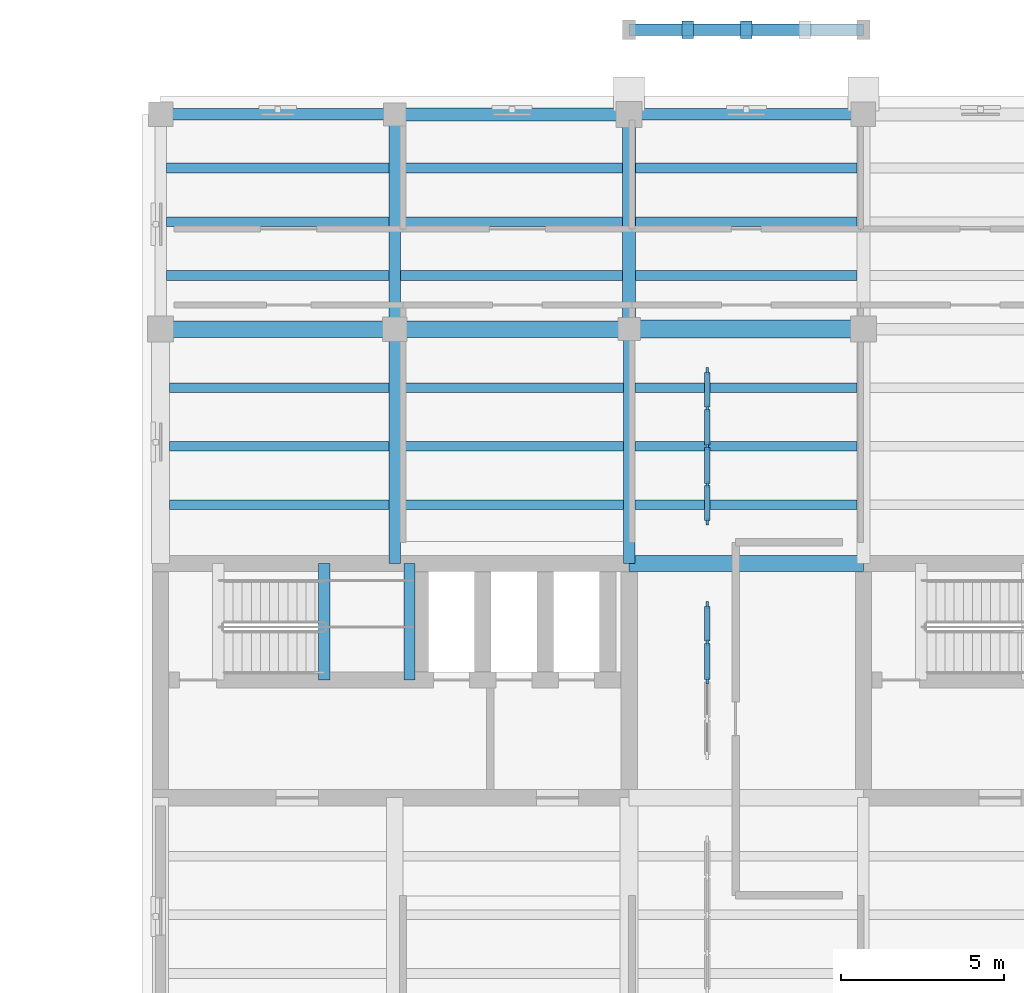
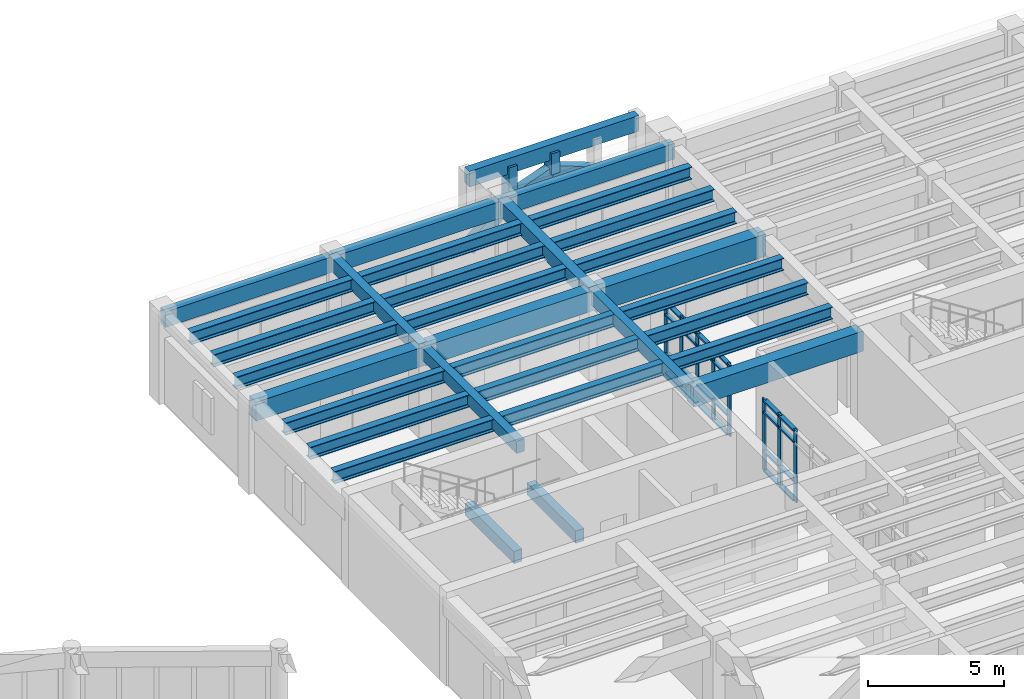
# One storey, part 24 of 76: 37 members, 32 beams, 2 elements without a shape of their own.
"""IFC4 building model written with IfcOpenShell, lengths in metres."""

from ifc_helpers import new_model, si_unit, direction, frame, origin, origin_2d, place, context, subcontext, project, spatial, rectangle, i_section, extrude, material, material_profile, profile_set, type_object, element, aggregate, save


model = new_model("IFC4")

# Units and contexts
model_context = context("Model", 3, precision=1e-05, world=origin(), true_north=direction((0.0, 1.0)))
body_context = subcontext(model_context, "Body", "Model", "MODEL_VIEW")
ifc_project = project(units=[si_unit("LENGTHUNIT", "METRE"), si_unit("AREAUNIT", "SQUARE_METRE"), si_unit("VOLUMEUNIT", "CUBIC_METRE"), si_unit("PLANEANGLEUNIT", "RADIAN"), si_unit("MASSUNIT", "GRAM", prefix="KILO")], contexts=[model_context])

# Site, building, storey
site_placement = place(None, origin())
site = spatial("IfcSite", under=ifc_project, at=site_placement, CompositionType="ELEMENT")
building_placement = place(site_placement, origin())
building = spatial("IfcBuilding", under=site, at=building_placement, Name="Mithqara Police Headquarters", CompositionType="ELEMENT")
storey_placement = place(building_placement, frame((0.0, 0.0, 5.39990234375)))
storey = spatial("IfcBuildingStorey", under=building, at=storey_placement, Name="L01", CompositionType="ELEMENT", Elevation=5.39990234375)

# Members
ifc_material_1 = material(Name="Concrete C50/60", Category="concrete")
ifc_material_profile_1 = material_profile(ifc_material_1, rectangle(XDim=0.35009765625, YDim=0.550048828125, at=origin_2d()), Name="ARC 350x550")
ifc_profile_set_1 = profile_set([ifc_material_profile_1], Name="Concrete C50/60")
member_type_1 = type_object("IfcMemberType", Name="ARCH SEG 350X550", PredefinedType="STRUT", material=ifc_profile_set_1)
member_1_placement = place(storey_placement, frame((123.0, 116.60009765625, 0.050048828125), z_axis=(0.749262238602, 0.0, 0.662273431299), x_axis=(0.0, 1.0, 0.0)))
element("IfcMember", 1, at=member_1_placement, inside=storey, type_object=member_type_1, Name="Public Entrance Portal Ottoman Arch Chord 1", PredefinedType="STRUT", context=body_context, shape_type="SweptSolid", body=[
    extrude(rectangle(XDim=0.35009765625, YDim=0.550048828125, at=origin_2d()), origin(), (0.0, 0.0, 1.0), 2.40234375),
])
for number, where, z_axis, x_axis, name in (
    (2, (124.800048828125, 116.60009765625, 1.64111328125), (0.939058685725, 0.0, 0.343756868679), (0.0, 1.0, 0.0), "Public Entrance Portal Ottoman Arch Chord 2"),
    (3, (126.60009765625, 116.60009765625, 2.300048828125), (0.939043632513, 0.0, -0.343797987541), (0.0, 1.0, 0.0), "Public Entrance Portal Ottoman Arch Chord 3"),
):
    element("IfcMember", number, at=place(storey_placement, frame(where, z_axis=z_axis, x_axis=x_axis)), inside=storey, type_object=member_type_1, Name=name, PredefinedType="STRUT", context=body_context, shape_type="SweptSolid", body=[
        extrude(rectangle(XDim=0.35009765625, YDim=0.550048828125, at=origin_2d()), origin(), (0.0, 0.0, 1.0), 1.916748046875),
    ])
member_2_placement = place(storey_placement, frame((124.800048828125, 116.60009765625, 1.64111328125), z_axis=(0.0, 0.0, 1.0), x_axis=(1.0, 0.0, 0.0)))
element("IfcMember", 4, at=member_2_placement, inside=storey, type_object=member_type_1, Name="Public Entrance Portal Arch Spandrel Post 1", PredefinedType="STRUT", context=body_context, shape_type="SweptSolid", body=[
    extrude(rectangle(XDim=0.35009765625, YDim=0.550048828125, at=origin_2d()), origin(), (0.0, 0.0, 1.0), 1.60888671875),
])
member_3_placement = place(storey_placement, frame((126.60009765625, 116.60009765625, 2.300048828125), z_axis=(0.0, 0.0, 1.0), x_axis=(1.0, 0.0, 0.0)))
element("IfcMember", 5, at=member_3_placement, inside=storey, type_object=member_type_1, Name="Public Entrance Portal Arch Spandrel Post 2", PredefinedType="STRUT", context=body_context, shape_type="SweptSolid", body=[
    extrude(rectangle(XDim=0.35009765625, YDim=0.550048828125, at=origin_2d()), origin(), (0.0, 0.0, 1.0), 0.949951171875),
])

# Beams
ifc_material_2 = material(Name="Steel S355JR", Category="steel")
ifc_material_profile_2 = material_profile(ifc_material_2, i_section(OverallWidth=0.300048828125, OverallDepth=0.550048828125, WebThickness=0.014892578125, FlangeThickness=0.029052734375, FilletRadius=0.027099609375, at=origin_2d()), Name="HEB 550")
ifc_profile_set_2 = profile_set([ifc_material_profile_2], Name="Steel S355JR")
beam_type_1 = type_object("IfcBeamType", Name="BEAM HEB550", PredefinedType="BEAM", material=ifc_profile_set_2)
for number, where, z_axis, x_axis, name in (
    (6, (108.875, 102.0, 3.64501953125), (1.0, 0.0, 0.0), (0.0, 1.0, 0.0), "L01 Composite Steel Joist 16-17/Q.1"),
    (7, (108.875, 103.800048828125, 3.64501953125), (1.0, 0.0, 0.0), (0.0, 1.0, 0.0), "L01 Composite Steel Joist 16-17/Q.2"),
    (8, (108.875, 105.60009765625, 3.64501953125), (1.0, 0.0, 0.0), (0.0, 1.0, 0.0), "L01 Composite Steel Joist 16-17/Q.3"),
):
    element("IfcBeam", number, at=place(storey_placement, frame(where, z_axis=z_axis, x_axis=x_axis)), inside=storey, type_object=beam_type_1, Name=name, PredefinedType="BEAM", context=body_context, shape_type="SweptSolid", body=[
        extrude(i_section(OverallWidth=0.300048828125, OverallDepth=0.550048828125, WebThickness=0.014892578125, FlangeThickness=0.029052734375, FilletRadius=0.027099609375, at=origin_2d()), origin(), (0.0, 0.0, 1.0), 6.75),
    ])
for number, where, z_axis, x_axis, name in (
    (9, (108.77490234375, 109.050048828125, 3.64501953125), (1.0, 0.0, 0.0), (0.0, 1.0, 0.0), "L01 Composite Steel Joist 16-17/R.1"),
    (10, (108.77490234375, 110.699951171875, 3.64501953125), (1.0, 0.0, 0.0), (0.0, 1.0, 0.0), "L01 Composite Steel Joist 16-17/R.2"),
    (11, (108.77490234375, 112.35009765625, 3.64501953125), (1.0, 0.0, 0.0), (0.0, 1.0, 0.0), "L01 Composite Steel Joist 16-17/R.3"),
):
    element("IfcBeam", number, at=place(storey_placement, frame(where, z_axis=z_axis, x_axis=x_axis)), inside=storey, type_object=beam_type_1, Name=name, PredefinedType="BEAM", context=body_context, shape_type="SweptSolid", body=[
        extrude(i_section(OverallWidth=0.300048828125, OverallDepth=0.550048828125, WebThickness=0.014892578125, FlangeThickness=0.029052734375, FilletRadius=0.027099609375, at=origin_2d()), origin(), (0.0, 0.0, 1.0), 6.85009765625),
    ])
for number, where, z_axis, x_axis, name in (
    (12, (115.97509765625, 102.0, 3.64501953125), (1.0, 0.0, 0.0), (0.0, 1.0, 0.0), "L01 Composite Steel Joist 17-18/Q.1"),
    (13, (115.97509765625, 103.800048828125, 3.64501953125), (1.0, 0.0, 0.0), (0.0, 1.0, 0.0), "L01 Composite Steel Joist 17-18/Q.2"),
    (14, (115.97509765625, 105.60009765625, 3.64501953125), (1.0, 0.0, 0.0), (0.0, 1.0, 0.0), "L01 Composite Steel Joist 17-18/Q.3"),
):
    element("IfcBeam", number, at=place(storey_placement, frame(where, z_axis=z_axis, x_axis=x_axis)), inside=storey, type_object=beam_type_1, Name=name, PredefinedType="BEAM", context=body_context, shape_type="SweptSolid", body=[
        extrude(i_section(OverallWidth=0.300048828125, OverallDepth=0.550048828125, WebThickness=0.014892578125, FlangeThickness=0.029052734375, FilletRadius=0.027099609375, at=origin_2d()), origin(), (0.0, 0.0, 1.0), 6.849853515625),
    ])
for number, where, z_axis, x_axis, name in (
    (15, (115.97509765625, 109.050048828125, 3.64501953125), (1.0, 0.0, 0.0), (0.0, 1.0, 0.0), "L01 Composite Steel Joist 17-18/R.1"),
    (16, (115.97509765625, 110.699951171875, 3.64501953125), (1.0, 0.0, 0.0), (0.0, 1.0, 0.0), "L01 Composite Steel Joist 17-18/R.2"),
    (17, (115.97509765625, 112.35009765625, 3.64501953125), (1.0, 0.0, 0.0), (0.0, 1.0, 0.0), "L01 Composite Steel Joist 17-18/R.3"),
    (18, (123.175048828125, 102.0, 3.64501953125), (1.0, 0.0, 0.0), (0.0, 1.0, 0.0), "L01 Composite Steel Joist 18-19/Q.1"),
    (19, (123.175048828125, 103.800048828125, 3.64501953125), (1.0, 0.0, 0.0), (0.0, 1.0, 0.0), "L01 Composite Steel Joist 18-19/Q.2"),
    (20, (123.175048828125, 105.60009765625, 3.64501953125), (1.0, 0.0, 0.0), (0.0, 1.0, 0.0), "L01 Composite Steel Joist 18-19/Q.3"),
):
    element("IfcBeam", number, at=place(storey_placement, frame(where, z_axis=z_axis, x_axis=x_axis)), inside=storey, type_object=beam_type_1, Name=name, PredefinedType="BEAM", context=body_context, shape_type="SweptSolid", body=[
        extrude(i_section(OverallWidth=0.300048828125, OverallDepth=0.550048828125, WebThickness=0.014892578125, FlangeThickness=0.029052734375, FilletRadius=0.027099609375, at=origin_2d()), origin(), (0.0, 0.0, 1.0), 6.824951171875),
    ])
for number, where, z_axis, x_axis, name in (
    (21, (123.199951171875, 109.050048828125, 3.64501953125), (1.0, 0.0, 0.0), (0.0, 1.0, 0.0), "L01 Composite Steel Joist 18-19/R.1"),
    (22, (123.199951171875, 110.699951171875, 3.64501953125), (1.0, 0.0, 0.0), (0.0, 1.0, 0.0), "L01 Composite Steel Joist 18-19/R.2"),
    (23, (123.199951171875, 112.35009765625, 3.64501953125), (1.0, 0.0, 0.0), (0.0, 1.0, 0.0), "L01 Composite Steel Joist 18-19/R.3"),
):
    element("IfcBeam", number, at=place(storey_placement, frame(where, z_axis=z_axis, x_axis=x_axis)), inside=storey, type_object=beam_type_1, Name=name, PredefinedType="BEAM", context=body_context, shape_type="SweptSolid", body=[
        extrude(i_section(OverallWidth=0.300048828125, OverallDepth=0.550048828125, WebThickness=0.014892578125, FlangeThickness=0.029052734375, FilletRadius=0.027099609375, at=origin_2d()), origin(), (0.0, 0.0, 1.0), 6.800048828125),
    ])
ifc_material_3 = material(Name="Concrete C40/50", Category="concrete")
ifc_material_profile_3 = material_profile(ifc_material_3, rectangle(XDim=0.35009765625, YDim=0.550048828125, at=origin_2d()), Name="RC 350x550")
ifc_profile_set_3 = profile_set([ifc_material_profile_3], Name="Concrete C40/50")
beam_type_2 = type_object("IfcBeamType", Name="BEAM RC350X550", PredefinedType="BEAM", material=ifc_profile_set_3)
beam_1_placement = place(storey_placement, frame((115.800048828125, 100.199951171875, 3.64501953125), z_axis=(0.0, 1.0, 0.0), x_axis=(-1.0, 0.0, 0.0)))
element("IfcBeam", 24, at=beam_1_placement, inside=storey, type_object=beam_type_2, Name="L01 Girder 17/Q-R", PredefinedType="BEAM", context=body_context, shape_type="SweptSolid", body=[
    extrude(rectangle(XDim=0.35009765625, YDim=0.550048828125, at=origin_2d()), origin(), (0.0, 0.0, 1.0), 7.199951171875),
])
for number, where, z_axis, x_axis, name in (
    (25, (113.6298828125, 96.6201171875, 1.635009765625), (0.0, 1.0, 0.0), (-1.0, 0.0, 0.0), "L01 ST-01 Half-Landing Bearer LF"),
    (26, (116.25, 96.6201171875, 1.635009765625), (0.0, 1.0, 0.0), (-1.0, 0.0, 0.0), "L01 ST-01 Half-Landing Bearer LB"),
):
    element("IfcBeam", number, at=place(storey_placement, frame(where, z_axis=z_axis, x_axis=x_axis)), inside=storey, type_object=beam_type_2, Name=name, PredefinedType="BEAM", context=body_context, shape_type="SweptSolid", body=[
        extrude(rectangle(XDim=0.35009765625, YDim=0.550048828125, at=origin_2d()), origin(), (0.0, 0.0, 1.0), 3.579833984375),
    ])
ifc_material_profile_4 = material_profile(ifc_material_3, rectangle(XDim=0.35009765625, YDim=0.60009765625, at=origin_2d()), Name="RC 350x600")
ifc_profile_set_4 = profile_set([ifc_material_profile_4], Name="Concrete C40/50")
beam_type_3 = type_object("IfcBeamType", Name="BEAM RC350X600", PredefinedType="BEAM", material=ifc_profile_set_4)
beam_2_placement = place(storey_placement, frame((115.800048828125, 107.39990234375, 3.6201171875), z_axis=(0.0, 1.0, 0.0), x_axis=(-1.0, 0.0, 0.0)))
element("IfcBeam", 27, at=beam_2_placement, inside=storey, type_object=beam_type_3, Name="L01 Girder 17/R-S", PredefinedType="BEAM", context=body_context, shape_type="SweptSolid", body=[
    extrude(rectangle(XDim=0.35009765625, YDim=0.60009765625, at=origin_2d()), origin(), (0.0, 0.0, 1.0), 6.60009765625),
])
beam_3_placement = place(storey_placement, frame((123.0, 100.199951171875, 3.6201171875), z_axis=(0.0, 1.0, 0.0), x_axis=(-1.0, 0.0, 0.0)))
element("IfcBeam", 28, at=beam_3_placement, inside=storey, type_object=beam_type_3, Name="L01 Girder 18/Q-R", PredefinedType="BEAM", context=body_context, shape_type="SweptSolid", body=[
    extrude(rectangle(XDim=0.35009765625, YDim=0.60009765625, at=origin_2d()), origin(), (0.0, 0.0, 1.0), 7.199951171875),
])
ifc_material_profile_5 = material_profile(ifc_material_3, rectangle(XDim=0.39990234375, YDim=0.64990234375, at=origin_2d()), Name="RC 400x650")
ifc_profile_set_5 = profile_set([ifc_material_profile_5], Name="Concrete C40/50")
beam_type_4 = type_object("IfcBeamType", Name="BEAM RC400X650", PredefinedType="BEAM", material=ifc_profile_set_5)
beam_4_placement = place(storey_placement, frame((123.0, 107.39990234375, 3.59521484375), z_axis=(0.0, 1.0, 0.0), x_axis=(-1.0, 0.0, 0.0)))
element("IfcBeam", 29, at=beam_4_placement, inside=storey, type_object=beam_type_4, Name="L01 Girder 18/R-S", PredefinedType="BEAM", context=body_context, shape_type="SweptSolid", body=[
    extrude(rectangle(XDim=0.39990234375, YDim=0.64990234375, at=origin_2d()), origin(), (0.0, 0.0, 1.0), 6.60009765625),
])
ifc_material_profile_6 = material_profile(ifc_material_3, rectangle(XDim=0.5, YDim=0.85009765625, at=origin_2d()), Name="RC 500x850")
ifc_profile_set_6 = profile_set([ifc_material_profile_6], Name="Concrete C40/50")
beam_type_5 = type_object("IfcBeamType", Name="BEAM RC500X850", PredefinedType="BEAM", material=ifc_profile_set_6)
beam_5_placement = place(storey_placement, frame((108.60009765625, 107.39990234375, 3.4951171875), z_axis=(1.0, 0.0, 0.0), x_axis=(0.0, 1.0, 0.0)))
element("IfcBeam", 30, at=beam_5_placement, inside=storey, type_object=beam_type_5, Name="L01 Girder 16-17/R", PredefinedType="BEAM", context=body_context, shape_type="SweptSolid", body=[
    extrude(rectangle(XDim=0.5, YDim=0.85009765625, at=origin_2d()), origin(), (0.0, 0.0, 1.0), 7.199951171875),
])
ifc_material_profile_7 = material_profile(ifc_material_1, rectangle(XDim=0.5, YDim=0.89990234375, at=origin_2d()), Name="RC 500x900")
ifc_profile_set_7 = profile_set([ifc_material_profile_7], Name="Concrete C50/60")
beam_type_6 = type_object("IfcBeamType", Name="BEAM RC500X900", PredefinedType="BEAM", material=ifc_profile_set_7)
for number, where, z_axis, x_axis, name in (
    (31, (115.800048828125, 107.39990234375, 3.47021484375), (1.0, 0.0, 0.0), (0.0, 1.0, 0.0), "L01 Girder 17-18/R"),
    (32, (123.0, 100.199951171875, 3.47021484375), (1.0, 0.0, 0.0), (0.0, 1.0, 0.0), "L01 Girder 18-19/Q"),
):
    element("IfcBeam", number, at=place(storey_placement, frame(where, z_axis=z_axis, x_axis=x_axis)), inside=storey, type_object=beam_type_6, Name=name, PredefinedType="BEAM", context=body_context, shape_type="SweptSolid", body=[
        extrude(rectangle(XDim=0.5, YDim=0.89990234375, at=origin_2d()), origin(), (0.0, 0.0, 1.0), 7.199951171875),
    ])
ifc_material_profile_8 = material_profile(ifc_material_1, rectangle(XDim=0.550048828125, YDim=1.0, at=origin_2d()), Name="RC 550x1000")
ifc_profile_set_8 = profile_set([ifc_material_profile_8], Name="Concrete C50/60")
beam_type_7 = type_object("IfcBeamType", Name="BEAM RC550X1000", PredefinedType="BEAM", material=ifc_profile_set_8)
beam_6_placement = place(storey_placement, frame((123.0, 107.39990234375, 3.420166015625), z_axis=(1.0, 0.0, 0.0), x_axis=(0.0, 1.0, 0.0)))
element("IfcBeam", 33, at=beam_6_placement, inside=storey, type_object=beam_type_7, Name="L01 Girder 18-19/R", PredefinedType="BEAM", context=body_context, shape_type="SweptSolid", body=[
    extrude(rectangle(XDim=0.550048828125, YDim=1.0, at=origin_2d()), origin(), (0.0, 0.0, 1.0), 7.199951171875),
])

# Curtain wall, members
ifc_material_4 = material(Name="Bronze anodised aluminium 6063-T6", Category="aluminium")
curtain_wall_type = type_object("IfcCurtainWallType", Name="CURTAIN WALL 4700X3200", PredefinedType="USERDEFINED", material=ifc_material_4)
curtain_wall_1_placement = place(storey_placement, origin())
curtain_wall_1 = element("IfcCurtainWall", 34, at=curtain_wall_1_placement, inside=storey, type_object=curtain_wall_type, Name="L01 Unitised Glazing CW-15 (CW-INT-L01-X17-Y13-0)", ObjectType="UNITISED GLAZING", PredefinedType="USERDEFINED")
ifc_material_profile_9 = material_profile(ifc_material_4, rectangle(XDim=0.074951171875, YDim=0.219970703125, at=origin_2d()), Name="CWM 75x220")
ifc_profile_set_9 = profile_set([ifc_material_profile_9], Name="Bronze anodised aluminium 6063-T6")
member_type_2 = type_object("IfcMemberType", Name="CWMULLION 75X220", PredefinedType="MULLION", material=ifc_profile_set_9)
member_4_placement = place(storey_placement, frame((125.39990234375, 96.60009765625, 0.0), z_axis=(0.0, 0.0, 1.0), x_axis=(-1.0, 0.0, 0.0)))
member_4 = element("IfcMember", 35, at=member_4_placement, type_object=member_type_2, Name="CW-15 mullion 3", PredefinedType="MULLION", context=body_context, shape_type="SweptSolid", body=[
    extrude(rectangle(XDim=0.074951171875, YDim=0.219970703125, at=origin_2d()), origin(), (0.0, 0.0, 1.0), 3.2001953125),
])
member_5_placement = place(storey_placement, frame((125.39990234375, 97.77490234375, 0.0), z_axis=(0.0, 0.0, 1.0), x_axis=(-1.0, 0.0, 0.0)))
member_5 = element("IfcMember", 36, at=member_5_placement, type_object=member_type_2, Name="CW-15 mullion 4", PredefinedType="MULLION", context=body_context, shape_type="SweptSolid", body=[
    extrude(rectangle(XDim=0.074951171875, YDim=0.219970703125, at=origin_2d()), origin(), (0.0, 0.0, 1.0), 3.2001953125),
])
member_6_placement = place(storey_placement, frame((125.39990234375, 98.91259765625, 0.0), z_axis=(0.0, 0.0, 1.0), x_axis=(-1.0, 0.0, 0.0)))
member_6 = element("IfcMember", 37, at=member_6_placement, type_object=member_type_2, Name="CW-15 mullion 5", PredefinedType="MULLION", context=body_context, shape_type="SweptSolid", body=[
    extrude(rectangle(XDim=0.074951171875, YDim=0.219970703125, at=origin_2d()), origin(), (0.0, 0.0, 1.0), 3.2001953125),
])

curtain_wall_2_placement = place(storey_placement, origin())
curtain_wall_2 = element("IfcCurtainWall", 38, at=curtain_wall_2_placement, inside=storey, type_object=curtain_wall_type, Name="L01 Unitised Glazing CW-15 (CW-INT-L01-X17-Y14-0)", ObjectType="UNITISED GLAZING", PredefinedType="USERDEFINED")
member_7_placement = place(storey_placement, frame((125.39990234375, 101.487548828125, 0.0), z_axis=(0.0, 0.0, 1.0), x_axis=(-1.0, 0.0, 0.0)))
member_7 = element("IfcMember", 39, at=member_7_placement, type_object=member_type_2, Name="CW-15 mullion 1", PredefinedType="MULLION", context=body_context, shape_type="SweptSolid", body=[
    extrude(rectangle(XDim=0.074951171875, YDim=0.219970703125, at=origin_2d()), origin(), (0.0, 0.0, 1.0), 3.2001953125),
])
member_8_placement = place(storey_placement, frame((125.39990234375, 102.625, 0.0), z_axis=(0.0, 0.0, 1.0), x_axis=(-1.0, 0.0, 0.0)))
member_8 = element("IfcMember", 40, at=member_8_placement, type_object=member_type_2, Name="CW-15 mullion 2", PredefinedType="MULLION", context=body_context, shape_type="SweptSolid", body=[
    extrude(rectangle(XDim=0.074951171875, YDim=0.219970703125, at=origin_2d()), origin(), (0.0, 0.0, 1.0), 3.2001953125),
])
member_9_placement = place(storey_placement, frame((125.39990234375, 103.800048828125, 0.0), z_axis=(0.0, 0.0, 1.0), x_axis=(-1.0, 0.0, 0.0)))
member_9 = element("IfcMember", 41, at=member_9_placement, type_object=member_type_2, Name="CW-15 mullion 3", PredefinedType="MULLION", context=body_context, shape_type="SweptSolid", body=[
    extrude(rectangle(XDim=0.074951171875, YDim=0.219970703125, at=origin_2d()), origin(), (0.0, 0.0, 1.0), 3.2001953125),
])
member_10_placement = place(storey_placement, frame((125.39990234375, 104.97509765625, 0.0), z_axis=(0.0, 0.0, 1.0), x_axis=(-1.0, 0.0, 0.0)))
member_10 = element("IfcMember", 42, at=member_10_placement, type_object=member_type_2, Name="CW-15 mullion 4", PredefinedType="MULLION", context=body_context, shape_type="SweptSolid", body=[
    extrude(rectangle(XDim=0.074951171875, YDim=0.219970703125, at=origin_2d()), origin(), (0.0, 0.0, 1.0), 3.2001953125),
])
member_11_placement = place(storey_placement, frame((125.39990234375, 106.112548828125, 0.0), z_axis=(0.0, 0.0, 1.0), x_axis=(-1.0, 0.0, 0.0)))
member_11 = element("IfcMember", 43, at=member_11_placement, type_object=member_type_2, Name="CW-15 mullion 5", PredefinedType="MULLION", context=body_context, shape_type="SweptSolid", body=[
    extrude(rectangle(XDim=0.074951171875, YDim=0.219970703125, at=origin_2d()), origin(), (0.0, 0.0, 1.0), 3.2001953125),
])

# Member
ifc_material_profile_10 = material_profile(ifc_material_4, rectangle(XDim=0.179931640625, YDim=0.074951171875, at=origin_2d()), Name="CWT 180x75")
ifc_profile_set_10 = profile_set([ifc_material_profile_10], Name="Bronze anodised aluminium 6063-T6")
member_type_3 = type_object("IfcMemberType", Name="CWTRANSOM 180X75", PredefinedType="USERDEFINED", material=ifc_profile_set_10)
member_12_placement = place(storey_placement, frame((125.39990234375, 96.637451171875, 0.03759765625), z_axis=(0.0, 1.0, 0.0), x_axis=(-1.0, 0.0, 0.0)))
member_12 = element("IfcMember", 44, at=member_12_placement, type_object=member_type_3, Name="CW-15 transom 3.1", ObjectType="TRANSOM", PredefinedType="USERDEFINED", context=body_context, shape_type="SweptSolid", body=[
    extrude(rectangle(XDim=0.179931640625, YDim=0.074951171875, at=origin_2d()), origin(), (0.0, 0.0, 1.0), 1.10009765625),
])

member_13_placement = place(storey_placement, frame((125.39990234375, 96.637451171875, 0.900146484375), z_axis=(0.0, 1.0, 0.0), x_axis=(-1.0, 0.0, 0.0)))
member_13 = element("IfcMember", 45, at=member_13_placement, type_object=member_type_3, Name="CW-15 transom 3.2", ObjectType="TRANSOM", PredefinedType="USERDEFINED", context=body_context, shape_type="SweptSolid", body=[
    extrude(rectangle(XDim=0.179931640625, YDim=0.074951171875, at=origin_2d()), origin(), (0.0, 0.0, 1.0), 1.10009765625),
])

member_14_placement = place(storey_placement, frame((125.39990234375, 96.637451171875, 2.650146484375), z_axis=(0.0, 1.0, 0.0), x_axis=(-1.0, 0.0, 0.0)))
member_14 = element("IfcMember", 46, at=member_14_placement, type_object=member_type_3, Name="CW-15 transom 3.3", ObjectType="TRANSOM", PredefinedType="USERDEFINED", context=body_context, shape_type="SweptSolid", body=[
    extrude(rectangle(XDim=0.179931640625, YDim=0.074951171875, at=origin_2d()), origin(), (0.0, 0.0, 1.0), 1.10009765625),
])

member_15_placement = place(storey_placement, frame((125.39990234375, 96.637451171875, 3.16259765625), z_axis=(0.0, 1.0, 0.0), x_axis=(-1.0, 0.0, 0.0)))
member_15 = element("IfcMember", 47, at=member_15_placement, type_object=member_type_3, Name="CW-15 transom 3.4", ObjectType="TRANSOM", PredefinedType="USERDEFINED", context=body_context, shape_type="SweptSolid", body=[
    extrude(rectangle(XDim=0.179931640625, YDim=0.074951171875, at=origin_2d()), origin(), (0.0, 0.0, 1.0), 1.10009765625),
])

member_16_placement = place(storey_placement, frame((125.39990234375, 97.8125, 0.03759765625), z_axis=(0.0, 1.0, 0.0), x_axis=(-1.0, 0.0, 0.0)))
member_16 = element("IfcMember", 48, at=member_16_placement, type_object=member_type_3, Name="CW-15 transom 4.1", ObjectType="TRANSOM", PredefinedType="USERDEFINED", context=body_context, shape_type="SweptSolid", body=[
    extrude(rectangle(XDim=0.179931640625, YDim=0.074951171875, at=origin_2d()), origin(), (0.0, 0.0, 1.0), 1.0625),
])

member_17_placement = place(storey_placement, frame((125.39990234375, 97.8125, 0.900146484375), z_axis=(0.0, 1.0, 0.0), x_axis=(-1.0, 0.0, 0.0)))
member_17 = element("IfcMember", 49, at=member_17_placement, type_object=member_type_3, Name="CW-15 transom 4.2", ObjectType="TRANSOM", PredefinedType="USERDEFINED", context=body_context, shape_type="SweptSolid", body=[
    extrude(rectangle(XDim=0.179931640625, YDim=0.074951171875, at=origin_2d()), origin(), (0.0, 0.0, 1.0), 1.0625),
])

member_18_placement = place(storey_placement, frame((125.39990234375, 97.8125, 2.650146484375), z_axis=(0.0, 1.0, 0.0), x_axis=(-1.0, 0.0, 0.0)))
member_18 = element("IfcMember", 50, at=member_18_placement, type_object=member_type_3, Name="CW-15 transom 4.3", ObjectType="TRANSOM", PredefinedType="USERDEFINED", context=body_context, shape_type="SweptSolid", body=[
    extrude(rectangle(XDim=0.179931640625, YDim=0.074951171875, at=origin_2d()), origin(), (0.0, 0.0, 1.0), 1.0625),
])

member_19_placement = place(storey_placement, frame((125.39990234375, 97.8125, 3.16259765625), z_axis=(0.0, 1.0, 0.0), x_axis=(-1.0, 0.0, 0.0)))
member_19 = element("IfcMember", 51, at=member_19_placement, type_object=member_type_3, Name="CW-15 transom 4.4", ObjectType="TRANSOM", PredefinedType="USERDEFINED", context=body_context, shape_type="SweptSolid", body=[
    extrude(rectangle(XDim=0.179931640625, YDim=0.074951171875, at=origin_2d()), origin(), (0.0, 0.0, 1.0), 1.0625),
])

aggregate(curtain_wall_1, [member_4, member_5, member_6, member_12, member_13, member_14, member_15, member_16, member_17, member_18, member_19])

member_20_placement = place(storey_placement, frame((125.39990234375, 101.52490234375, 0.03759765625), z_axis=(0.0, 1.0, 0.0), x_axis=(-1.0, 0.0, 0.0)))
member_20 = element("IfcMember", 52, at=member_20_placement, type_object=member_type_3, Name="CW-15 transom 1.1", ObjectType="TRANSOM", PredefinedType="USERDEFINED", context=body_context, shape_type="SweptSolid", body=[
    extrude(rectangle(XDim=0.179931640625, YDim=0.074951171875, at=origin_2d()), origin(), (0.0, 0.0, 1.0), 1.0625),
])

member_21_placement = place(storey_placement, frame((125.39990234375, 101.52490234375, 0.900146484375), z_axis=(0.0, 1.0, 0.0), x_axis=(-1.0, 0.0, 0.0)))
member_21 = element("IfcMember", 53, at=member_21_placement, type_object=member_type_3, Name="CW-15 transom 1.2", ObjectType="TRANSOM", PredefinedType="USERDEFINED", context=body_context, shape_type="SweptSolid", body=[
    extrude(rectangle(XDim=0.179931640625, YDim=0.074951171875, at=origin_2d()), origin(), (0.0, 0.0, 1.0), 1.0625),
])

member_22_placement = place(storey_placement, frame((125.39990234375, 101.52490234375, 2.650146484375), z_axis=(0.0, 1.0, 0.0), x_axis=(-1.0, 0.0, 0.0)))
member_22 = element("IfcMember", 54, at=member_22_placement, type_object=member_type_3, Name="CW-15 transom 1.3", ObjectType="TRANSOM", PredefinedType="USERDEFINED", context=body_context, shape_type="SweptSolid", body=[
    extrude(rectangle(XDim=0.179931640625, YDim=0.074951171875, at=origin_2d()), origin(), (0.0, 0.0, 1.0), 1.0625),
])

member_23_placement = place(storey_placement, frame((125.39990234375, 101.52490234375, 3.16259765625), z_axis=(0.0, 1.0, 0.0), x_axis=(-1.0, 0.0, 0.0)))
member_23 = element("IfcMember", 55, at=member_23_placement, type_object=member_type_3, Name="CW-15 transom 1.4", ObjectType="TRANSOM", PredefinedType="USERDEFINED", context=body_context, shape_type="SweptSolid", body=[
    extrude(rectangle(XDim=0.179931640625, YDim=0.074951171875, at=origin_2d()), origin(), (0.0, 0.0, 1.0), 1.0625),
])

member_24_placement = place(storey_placement, frame((125.39990234375, 102.66259765625, 0.03759765625), z_axis=(0.0, 1.0, 0.0), x_axis=(-1.0, 0.0, 0.0)))
member_24 = element("IfcMember", 56, at=member_24_placement, type_object=member_type_3, Name="CW-15 transom 2.1", ObjectType="TRANSOM", PredefinedType="USERDEFINED", context=body_context, shape_type="SweptSolid", body=[
    extrude(rectangle(XDim=0.179931640625, YDim=0.074951171875, at=origin_2d()), origin(), (0.0, 0.0, 1.0), 1.099853515625),
])

member_25_placement = place(storey_placement, frame((125.39990234375, 102.66259765625, 0.900146484375), z_axis=(0.0, 1.0, 0.0), x_axis=(-1.0, 0.0, 0.0)))
member_25 = element("IfcMember", 57, at=member_25_placement, type_object=member_type_3, Name="CW-15 transom 2.2", ObjectType="TRANSOM", PredefinedType="USERDEFINED", context=body_context, shape_type="SweptSolid", body=[
    extrude(rectangle(XDim=0.179931640625, YDim=0.074951171875, at=origin_2d()), origin(), (0.0, 0.0, 1.0), 1.099853515625),
])

member_26_placement = place(storey_placement, frame((125.39990234375, 102.66259765625, 2.650146484375), z_axis=(0.0, 1.0, 0.0), x_axis=(-1.0, 0.0, 0.0)))
member_26 = element("IfcMember", 58, at=member_26_placement, type_object=member_type_3, Name="CW-15 transom 2.3", ObjectType="TRANSOM", PredefinedType="USERDEFINED", context=body_context, shape_type="SweptSolid", body=[
    extrude(rectangle(XDim=0.179931640625, YDim=0.074951171875, at=origin_2d()), origin(), (0.0, 0.0, 1.0), 1.099853515625),
])

member_27_placement = place(storey_placement, frame((125.39990234375, 102.66259765625, 3.16259765625), z_axis=(0.0, 1.0, 0.0), x_axis=(-1.0, 0.0, 0.0)))
member_27 = element("IfcMember", 59, at=member_27_placement, type_object=member_type_3, Name="CW-15 transom 2.4", ObjectType="TRANSOM", PredefinedType="USERDEFINED", context=body_context, shape_type="SweptSolid", body=[
    extrude(rectangle(XDim=0.179931640625, YDim=0.074951171875, at=origin_2d()), origin(), (0.0, 0.0, 1.0), 1.099853515625),
])

member_28_placement = place(storey_placement, frame((125.39990234375, 103.83740234375, 0.03759765625), z_axis=(0.0, 1.0, 0.0), x_axis=(-1.0, 0.0, 0.0)))
member_28 = element("IfcMember", 60, at=member_28_placement, type_object=member_type_3, Name="CW-15 transom 3.1", ObjectType="TRANSOM", PredefinedType="USERDEFINED", context=body_context, shape_type="SweptSolid", body=[
    extrude(rectangle(XDim=0.179931640625, YDim=0.074951171875, at=origin_2d()), origin(), (0.0, 0.0, 1.0), 1.10009765625),
])

member_29_placement = place(storey_placement, frame((125.39990234375, 103.83740234375, 0.900146484375), z_axis=(0.0, 1.0, 0.0), x_axis=(-1.0, 0.0, 0.0)))
member_29 = element("IfcMember", 61, at=member_29_placement, type_object=member_type_3, Name="CW-15 transom 3.2", ObjectType="TRANSOM", PredefinedType="USERDEFINED", context=body_context, shape_type="SweptSolid", body=[
    extrude(rectangle(XDim=0.179931640625, YDim=0.074951171875, at=origin_2d()), origin(), (0.0, 0.0, 1.0), 1.10009765625),
])

member_30_placement = place(storey_placement, frame((125.39990234375, 103.83740234375, 2.650146484375), z_axis=(0.0, 1.0, 0.0), x_axis=(-1.0, 0.0, 0.0)))
member_30 = element("IfcMember", 62, at=member_30_placement, type_object=member_type_3, Name="CW-15 transom 3.3", ObjectType="TRANSOM", PredefinedType="USERDEFINED", context=body_context, shape_type="SweptSolid", body=[
    extrude(rectangle(XDim=0.179931640625, YDim=0.074951171875, at=origin_2d()), origin(), (0.0, 0.0, 1.0), 1.10009765625),
])

member_31_placement = place(storey_placement, frame((125.39990234375, 103.83740234375, 3.16259765625), z_axis=(0.0, 1.0, 0.0), x_axis=(-1.0, 0.0, 0.0)))
member_31 = element("IfcMember", 63, at=member_31_placement, type_object=member_type_3, Name="CW-15 transom 3.4", ObjectType="TRANSOM", PredefinedType="USERDEFINED", context=body_context, shape_type="SweptSolid", body=[
    extrude(rectangle(XDim=0.179931640625, YDim=0.074951171875, at=origin_2d()), origin(), (0.0, 0.0, 1.0), 1.10009765625),
])

member_32_placement = place(storey_placement, frame((125.39990234375, 105.012451171875, 0.03759765625), z_axis=(0.0, 1.0, 0.0), x_axis=(-1.0, 0.0, 0.0)))
member_32 = element("IfcMember", 64, at=member_32_placement, type_object=member_type_3, Name="CW-15 transom 4.1", ObjectType="TRANSOM", PredefinedType="USERDEFINED", context=body_context, shape_type="SweptSolid", body=[
    extrude(rectangle(XDim=0.179931640625, YDim=0.074951171875, at=origin_2d()), origin(), (0.0, 0.0, 1.0), 1.0625),
])

member_33_placement = place(storey_placement, frame((125.39990234375, 105.012451171875, 0.900146484375), z_axis=(0.0, 1.0, 0.0), x_axis=(-1.0, 0.0, 0.0)))
member_33 = element("IfcMember", 65, at=member_33_placement, type_object=member_type_3, Name="CW-15 transom 4.2", ObjectType="TRANSOM", PredefinedType="USERDEFINED", context=body_context, shape_type="SweptSolid", body=[
    extrude(rectangle(XDim=0.179931640625, YDim=0.074951171875, at=origin_2d()), origin(), (0.0, 0.0, 1.0), 1.0625),
])

member_34_placement = place(storey_placement, frame((125.39990234375, 105.012451171875, 2.650146484375), z_axis=(0.0, 1.0, 0.0), x_axis=(-1.0, 0.0, 0.0)))
member_34 = element("IfcMember", 66, at=member_34_placement, type_object=member_type_3, Name="CW-15 transom 4.3", ObjectType="TRANSOM", PredefinedType="USERDEFINED", context=body_context, shape_type="SweptSolid", body=[
    extrude(rectangle(XDim=0.179931640625, YDim=0.074951171875, at=origin_2d()), origin(), (0.0, 0.0, 1.0), 1.0625),
])

member_35_placement = place(storey_placement, frame((125.39990234375, 105.012451171875, 3.16259765625), z_axis=(0.0, 1.0, 0.0), x_axis=(-1.0, 0.0, 0.0)))
member_35 = element("IfcMember", 67, at=member_35_placement, type_object=member_type_3, Name="CW-15 transom 4.4", ObjectType="TRANSOM", PredefinedType="USERDEFINED", context=body_context, shape_type="SweptSolid", body=[
    extrude(rectangle(XDim=0.179931640625, YDim=0.074951171875, at=origin_2d()), origin(), (0.0, 0.0, 1.0), 1.0625),
])

aggregate(curtain_wall_2, [member_7, member_8, member_9, member_10, member_11, member_20, member_21, member_22, member_23, member_24, member_25, member_26, member_27, member_28, member_29, member_30, member_31, member_32, member_33, member_34, member_35])

# Beams
ifc_material_profile_11 = material_profile(ifc_material_3, rectangle(XDim=0.35009765625, YDim=0.699951171875, at=origin_2d()), Name="SPB 350x700")
ifc_profile_set_11 = profile_set([ifc_material_profile_11], Name="Concrete C40/50")
beam_type_8 = type_object("IfcBeamType", Name="SPANDREL 350X700", PredefinedType="SPANDREL", material=ifc_profile_set_11)
for number, where, z_axis, x_axis, name in (
    (68, (108.60009765625, 114.0, 3.570068359375), (1.0, 0.0, 0.0), (0.0, 1.0, 0.0), "L01 Girder 16-17/S"),
    (69, (123.0, 114.0, 3.570068359375), (1.0, 0.0, 0.0), (0.0, 1.0, 0.0), "L01 Girder 18-19/S"),
    (70, (123.0, 116.60009765625, 3.25), (1.0, 0.0, 0.0), (0.0, 1.0, 0.0), "Entrance Portal Arch Header Beam"),
):
    element("IfcBeam", number, at=place(storey_placement, frame(where, z_axis=z_axis, x_axis=x_axis)), inside=storey, type_object=beam_type_8, Name=name, PredefinedType="SPANDREL", context=body_context, shape_type="SweptSolid", body=[
        extrude(rectangle(XDim=0.35009765625, YDim=0.699951171875, at=origin_2d()), origin(), (0.0, 0.0, 1.0), 7.199951171875),
    ])
ifc_material_profile_12 = material_profile(ifc_material_3, rectangle(XDim=0.39990234375, YDim=0.75, at=origin_2d()), Name="SPB 400x750")
ifc_profile_set_12 = profile_set([ifc_material_profile_12], Name="Concrete C40/50")
beam_type_9 = type_object("IfcBeamType", Name="SPANDREL 400X750", PredefinedType="SPANDREL", material=ifc_profile_set_12)
beam_7_placement = place(storey_placement, frame((115.800048828125, 114.0, 3.545166015625), z_axis=(1.0, 0.0, 0.0), x_axis=(0.0, 1.0, 0.0)))
element("IfcBeam", 71, at=beam_7_placement, inside=storey, type_object=beam_type_9, Name="L01 Girder 17-18/S", PredefinedType="SPANDREL", context=body_context, shape_type="SweptSolid", body=[
    extrude(rectangle(XDim=0.39990234375, YDim=0.75, at=origin_2d()), origin(), (0.0, 0.0, 1.0), 7.199951171875),
])

save(model, "model.ifc")
